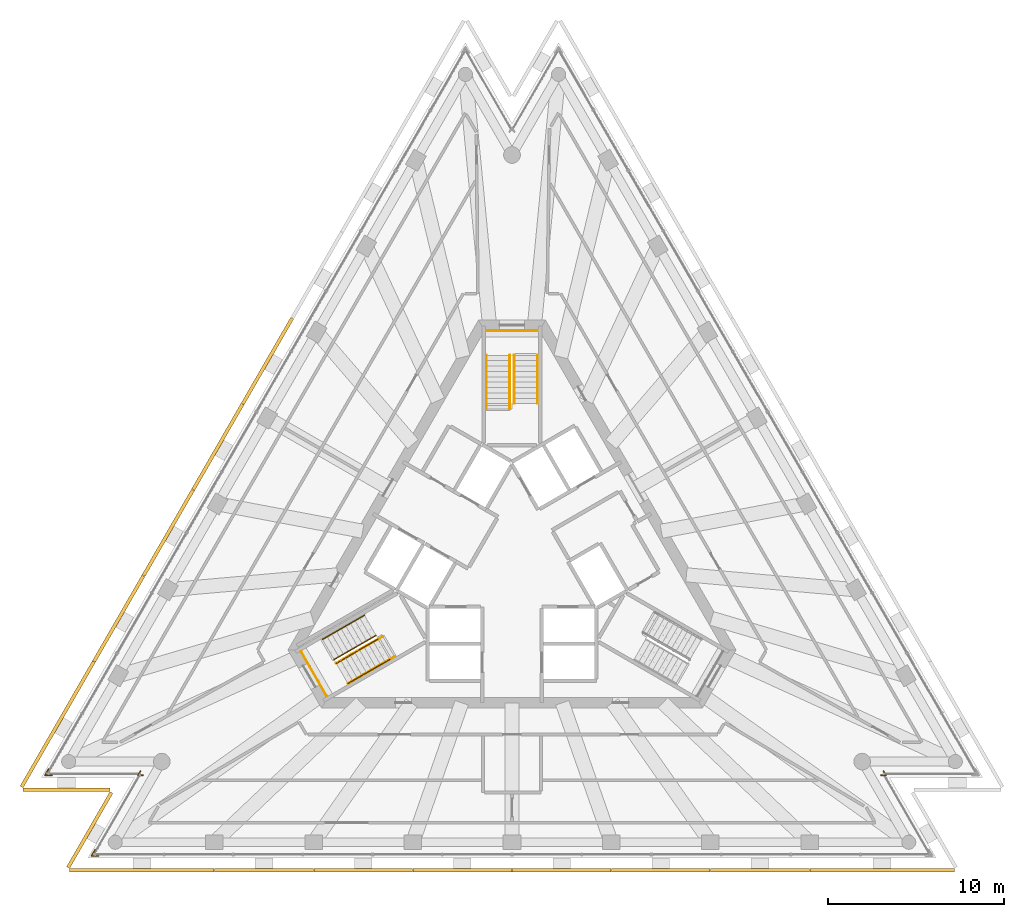
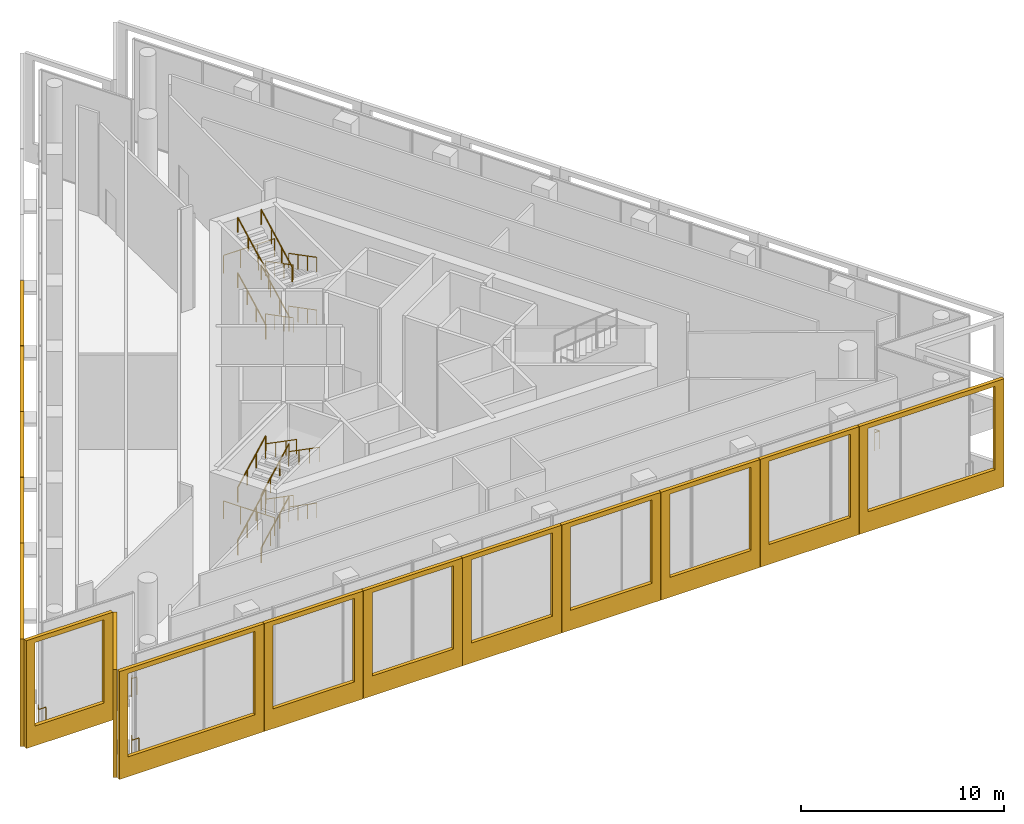
# One storey, part 15 of 16: 22 railings, 15 shading devices, 2 elements without a shape of their own.
"""IFC4 building model written with IfcOpenShell, lengths in metres."""

from ifc_helpers import new_model, si_unit, direction, frame, origin, origin_2d, place, context, subcontext, project, spatial, polyline, circle, outline, extrude, material, layer, layer_set, type_object, element, aggregate, save


model = new_model("IFC4")

# Units and contexts
model_context = context("Model", 3, precision=1e-05, world=origin(), true_north=direction((0.0, 1.0)))
body_context = subcontext(model_context, "Body", "Model", "MODEL_VIEW")
ifc_project = project(units=[si_unit("LENGTHUNIT", "METRE"), si_unit("AREAUNIT", "SQUARE_METRE"), si_unit("VOLUMEUNIT", "CUBIC_METRE"), si_unit("PLANEANGLEUNIT", "RADIAN"), si_unit("MASSUNIT", "GRAM", prefix="KILO")], contexts=[model_context])

# Site, building, storey
site_placement = place(None, origin())
site = spatial("IfcSite", under=ifc_project, at=site_placement, CompositionType="ELEMENT")
building_placement = place(site_placement, origin())
building = spatial("IfcBuilding", under=site, at=building_placement, Name="Triada Interchange Tower", CompositionType="ELEMENT")
storey_placement = place(building_placement, frame((0.0, 0.0, 261.800048828125)))
storey = spatial("IfcBuildingStorey", under=building, at=storey_placement, Name="L61", CompositionType="ELEMENT", Elevation=261.800048828125)

# Railings
ifc_material_1 = material(Name="Stainless steel 1.4301", Category="steel")
railing_type_1 = type_object("IfcRailingType", Name="Edge guard 1100", PredefinedType="GUARDRAIL", material=ifc_material_1)
railing_1_placement = place(storey_placement, frame((-26.345947265625, -11.919921875, 0.0)))
element("IfcRailing", 1, at=railing_1_placement, inside=storey, type_object=railing_type_1, Name="Edge guard L61 corner 02", PredefinedType="GUARDRAIL", context=body_context, shape_type="SweptSolid", body=[
    extrude(circle(Radius=0.02392578125, at=origin_2d()), frame((0.0, 0.0, 1.076171875), z_axis=(-0.499757119926, -0.866165585257, 0.0), x_axis=(0.866165585257, -0.499757119926, 0.0)), (0.0, 0.0, 1.0), 0.406494140625),
    extrude(circle(Radius=0.02392578125, at=origin_2d()), frame((-0.203125, -0.35205078125, 1.076171875), z_axis=(1.0, 0.0, 0.0), x_axis=(0.0, 1.0, 0.0)), (0.0, 0.0, 1.0), 0.406005859375),
    extrude(circle(Radius=0.02099609375, at=origin_2d()), origin(), (0.0, 0.0, 1.0), 1.052001953125),
    extrude(circle(Radius=0.02099609375, at=origin_2d()), frame((-0.203125, -0.35205078125, 0.0)), (0.0, 0.0, 1.0), 1.052001953125),
    extrude(circle(Radius=0.02099609375, at=origin_2d()), frame((0.202880859375, -0.35205078125, 0.0)), (0.0, 0.0, 1.0), 1.052001953125),
])
railing_2_placement = place(storey_placement, frame((-20.969970703125, -12.27197265625, 0.0)))
element("IfcRailing", 2, at=railing_2_placement, inside=storey, type_object=railing_type_1, Name="Edge guard L61 corner 03", PredefinedType="GUARDRAIL", context=body_context, shape_type="SweptSolid", body=[
    extrude(circle(Radius=0.02392578125, at=origin_2d()), frame((0.0, 0.0, 1.076171875), z_axis=(-1.0, 0.0, 0.0), x_axis=(0.0, -1.0, 0.0)), (0.0, 0.0, 1.0), 0.2861328125),
    extrude(circle(Radius=0.02392578125, at=origin_2d()), frame((-0.2861328125, 0.0, 1.076171875), z_axis=(0.49962403686, 0.866242357422, 0.0), x_axis=(-0.866242357422, 0.49962403686, 0.0)), (0.0, 0.0, 1.0), 0.286376953125),
    extrude(circle(Radius=0.02099609375, at=origin_2d()), origin(), (0.0, 0.0, 1.0), 1.052001953125),
    extrude(circle(Radius=0.02099609375, at=origin_2d()), frame((-0.2861328125, 0.0, 0.0)), (0.0, 0.0, 1.0), 1.052001953125),
    extrude(circle(Radius=0.02099609375, at=origin_2d()), frame((-0.14306640625, 0.248046875, 0.0)), (0.0, 0.0, 1.0), 1.052001953125),
])
railing_3_placement = place(storey_placement, frame((-23.699951171875, -16.50390625, 0.0)))
element("IfcRailing", 3, at=railing_3_placement, inside=storey, type_object=railing_type_1, Name="Edge guard L61 corner 04", PredefinedType="GUARDRAIL", context=body_context, shape_type="SweptSolid", body=[
    extrude(circle(Radius=0.02392578125, at=origin_2d()), frame((0.0, 0.0, 1.076171875), z_axis=(-0.499757119926, -0.866165585257, 0.0), x_axis=(0.866165585257, -0.499757119926, 0.0)), (0.0, 0.0, 1.0), 0.406494140625),
    extrude(circle(Radius=0.02392578125, at=origin_2d()), frame((-0.203125, -0.35205078125, 1.076171875), z_axis=(1.0, 0.0, 0.0), x_axis=(0.0, 1.0, 0.0)), (0.0, 0.0, 1.0), 0.406005859375),
    extrude(circle(Radius=0.02099609375, at=origin_2d()), origin(), (0.0, 0.0, 1.0), 1.052001953125),
    extrude(circle(Radius=0.02099609375, at=origin_2d()), frame((-0.203125, -0.35205078125, 0.0)), (0.0, 0.0, 1.0), 1.052001953125),
    extrude(circle(Radius=0.02099609375, at=origin_2d()), frame((0.202880859375, -0.35205078125, 0.0)), (0.0, 0.0, 1.0), 1.052001953125),
])
railing_4_placement = place(storey_placement, frame((21.113037109375, -12.02392578125, 0.0)))
element("IfcRailing", 4, at=railing_4_placement, inside=storey, type_object=railing_type_1, Name="Edge guard L61 corner 06", PredefinedType="GUARDRAIL", context=body_context, shape_type="SweptSolid", body=[
    extrude(circle(Radius=0.02392578125, at=origin_2d()), frame((0.0, 0.0, 1.076171875), z_axis=(0.49962403686, -0.866242357422, 0.0), x_axis=(0.866242357422, 0.49962403686, 0.0)), (0.0, 0.0, 1.0), 0.286376953125),
    extrude(circle(Radius=0.02392578125, at=origin_2d()), frame((0.14306640625, -0.248046875, 1.076171875), z_axis=(-1.0, 0.0, 0.0), x_axis=(0.0, -1.0, 0.0)), (0.0, 0.0, 1.0), 0.2861328125),
    extrude(circle(Radius=0.02099609375, at=origin_2d()), origin(), (0.0, 0.0, 1.0), 1.052001953125),
    extrude(circle(Radius=0.02099609375, at=origin_2d()), frame((0.14306640625, -0.248046875, 0.0)), (0.0, 0.0, 1.0), 1.052001953125),
    extrude(circle(Radius=0.02099609375, at=origin_2d()), frame((-0.14306640625, -0.248046875, 0.0)), (0.0, 0.0, 1.0), 1.052001953125),
])

# Shading devices
ifc_material_2 = material(Name="Concrete C50/60 precast", Category="concrete")
ifc_layer_1 = layer(ifc_material_2, 0.02001953125, Name="Exposed aggregate face")
ifc_layer_2 = layer(ifc_material_2, 0.179931640625, Name="Precast concrete screen")
ifc_layer_set = layer_set([ifc_layer_1, ifc_layer_2], Name="Outer skin screen panel 6480")
shading_device_type = type_object("IfcShadingDeviceType", Name="Outer skin screen panel 6480", PredefinedType="SHUTTER", material=ifc_layer_set)
for number, where, z_axis, x_axis, name in (
    (5, (-12.406982421875, 13.662109375, -0.2900390625), (0.0, 0.0, 1.0), (-0.500037195483, -0.866003927897, 0.0), "Outer skin screen panel L61 04"),
    (6, (-15.22607421875, 8.779052734375, -0.2900390625), (0.0, 0.0, 1.0), (-0.500004601921, -0.866022746848, 0.0), "Outer skin screen panel L61 05"),
    (7, (-18.044921875, 3.89697265625, -0.2900390625), (0.0, 0.0, 1.0), (-0.500037195483, -0.866003927897, 0.0), "Outer skin screen panel L61 06"),
    (8, (-20.864013671875, -0.986083984375, -0.2900390625), (0.0, 0.0, 1.0), (-0.500037195483, -0.866003927897, 0.0), "Outer skin screen panel L61 07"),
):
    element("IfcShadingDevice", number, at=place(storey_placement, frame(where, z_axis=z_axis, x_axis=x_axis)), inside=storey, type_object=shading_device_type, Name=name, PredefinedType="SHUTTER", context=body_context, shape_type="SweptSolid", body=[
        extrude(outline(polyline([(0.0, 0.0), (5.61767578125, 0.0), (5.61767578125, 6.47998046875), (0.0, 6.47998046875), (0.0, 0.0)]), holes=[polyline([(0.5, 1.18994140625), (0.5, 6.199951171875), (5.117919921875, 6.199951171875), (5.117919921875, 1.18994140625), (0.5, 1.18994140625)])]), frame((0.0, 0.0, 0.0), z_axis=(0.0, -1.0, 0.0), x_axis=(1.0, 0.0, 0.0)), (0.0, 0.0, 1.0), 0.199951171875),
    ])
shading_device_1_placement = place(storey_placement, frame((-23.68310546875, -5.867919921875, -0.2900390625), z_axis=(0.0, 0.0, 1.0), x_axis=(-0.500006265035, -0.866021786635, 0.0)))
element("IfcShadingDevice", 9, at=shading_device_1_placement, inside=storey, type_object=shading_device_type, Name="Outer skin screen panel L61 08", PredefinedType="SHUTTER", context=body_context, shape_type="SweptSolid", body=[
    extrude(outline(polyline([(0.0, 0.0), (8.2158203125, 0.0), (8.2158203125, 6.47998046875), (0.0, 6.47998046875), (0.0, 0.0)]), holes=[polyline([(0.5, 1.18994140625), (0.5, 6.199951171875), (7.7158203125, 6.199951171875), (7.7158203125, 1.18994140625), (0.5, 1.18994140625)])]), frame((0.0, 0.0, 0.0), z_axis=(0.0, -1.0, 0.0), x_axis=(1.0, 0.0, 0.0)), (0.0, 0.0, 1.0), 0.199951171875),
])
shading_device_2_placement = place(storey_placement, frame((-27.785888671875, -12.991943359375, -0.2900390625), z_axis=(0.0, 0.0, 1.0), x_axis=(1.0, 0.0, 0.0)))
element("IfcShadingDevice", 10, at=shading_device_2_placement, inside=storey, type_object=shading_device_type, Name="Outer skin screen panel L61 09", PredefinedType="SHUTTER", context=body_context, shape_type="SweptSolid", body=[
    extrude(outline(polyline([(0.0, 0.0), (4.92578125, 0.0), (4.92578125, 6.47998046875), (0.0, 6.47998046875), (0.0, 0.0)]), holes=[polyline([(0.5, 1.18994140625), (0.5, 6.199951171875), (4.426025390625, 6.199951171875), (4.426025390625, 1.18994140625), (0.5, 1.18994140625)])]), frame((0.0, 0.0, 0.0), z_axis=(0.0, -1.0, 0.0), x_axis=(1.0, 0.0, 0.0)), (0.0, 0.0, 1.0), 0.199951171875),
])
shading_device_3_placement = place(storey_placement, frame((-22.681884765625, -13.301025390625, -0.2900390625), z_axis=(0.0, 0.0, 1.0), x_axis=(-0.50003563795, -0.866004827227, 0.0)))
element("IfcShadingDevice", 11, at=shading_device_3_placement, inside=storey, type_object=shading_device_type, Name="Outer skin screen panel L61 10", PredefinedType="SHUTTER", context=body_context, shape_type="SweptSolid", body=[
    extrude(outline(polyline([(0.0, 0.0), (4.926025390625, 0.0), (4.926025390625, 6.47998046875), (0.0, 6.47998046875), (0.0, 0.0)]), holes=[polyline([(0.5, 1.18994140625), (0.5, 6.199951171875), (4.426513671875, 6.199951171875), (4.426513671875, 1.18994140625), (0.5, 1.18994140625)])]), frame((0.0, 0.0, 0.0), z_axis=(0.0, -1.0, 0.0), x_axis=(1.0, 0.0, 0.0)), (0.0, 0.0, 1.0), 0.199951171875),
])
shading_device_4_placement = place(storey_placement, frame((-25.139892578125, -17.575927734375, -0.2900390625), z_axis=(0.0, 0.0, 1.0), x_axis=(1.0, 0.0, 0.0)))
element("IfcShadingDevice", 12, at=shading_device_4_placement, inside=storey, type_object=shading_device_type, Name="Outer skin screen panel L61 11", PredefinedType="SHUTTER", context=body_context, shape_type="SweptSolid", body=[
    extrude(outline(polyline([(0.0, 0.0), (8.2158203125, 0.0), (8.2158203125, 6.47998046875), (0.0, 6.47998046875), (0.0, 0.0)]), holes=[polyline([(0.5, 1.18994140625), (0.5, 6.199951171875), (7.716064453125, 6.199951171875), (7.716064453125, 1.18994140625), (0.5, 1.18994140625)])]), frame((0.0, 0.0, 0.0), z_axis=(0.0, -1.0, 0.0), x_axis=(1.0, 0.0, 0.0)), (0.0, 0.0, 1.0), 0.199951171875),
])
for number, where, z_axis, x_axis, name in (
    (13, (-16.904052734375, -17.575927734375, -0.2900390625), (0.0, 0.0, 1.0), (1.0, 0.0, 0.0), "Outer skin screen panel L61 12"),
    (14, (-11.26611328125, -17.575927734375, -0.2900390625), (0.0, 0.0, 1.0), (1.0, 0.0, 0.0), "Outer skin screen panel L61 13"),
):
    element("IfcShadingDevice", number, at=place(storey_placement, frame(where, z_axis=z_axis, x_axis=x_axis)), inside=storey, type_object=shading_device_type, Name=name, PredefinedType="SHUTTER", context=body_context, shape_type="SweptSolid", body=[
        extrude(outline(polyline([(0.0, 0.0), (5.6181640625, 0.0), (5.6181640625, 6.47998046875), (0.0, 6.47998046875), (0.0, 0.0)]), holes=[polyline([(0.5, 1.18994140625), (0.5, 6.199951171875), (5.117919921875, 6.199951171875), (5.117919921875, 1.18994140625), (0.5, 1.18994140625)])]), frame((0.0, 0.0, 0.0), z_axis=(0.0, -1.0, 0.0), x_axis=(1.0, 0.0, 0.0)), (0.0, 0.0, 1.0), 0.199951171875),
    ])
for number, where, z_axis, x_axis, name in (
    (15, (-5.6279296875, -17.575927734375, -0.2900390625), (0.0, 0.0, 1.0), (1.0, 0.0, 0.0), "Outer skin screen panel L61 14"),
    (16, (0.010009765625, -17.575927734375, -0.2900390625), (0.0, 0.0, 1.0), (1.0, 0.0, 0.0), "Outer skin screen panel L61 15"),
):
    element("IfcShadingDevice", number, at=place(storey_placement, frame(where, z_axis=z_axis, x_axis=x_axis)), inside=storey, type_object=shading_device_type, Name=name, PredefinedType="SHUTTER", context=body_context, shape_type="SweptSolid", body=[
        extrude(outline(polyline([(0.0, 0.0), (5.617919921875, 0.0), (5.617919921875, 6.47998046875), (0.0, 6.47998046875), (0.0, 0.0)]), holes=[polyline([(0.5, 1.18994140625), (0.5, 6.199951171875), (5.117919921875, 6.199951171875), (5.117919921875, 1.18994140625), (0.5, 1.18994140625)])]), frame((0.0, 0.0, 0.0), z_axis=(0.0, -1.0, 0.0), x_axis=(1.0, 0.0, 0.0)), (0.0, 0.0, 1.0), 0.199951171875),
    ])
for number, where, z_axis, x_axis, name in (
    (17, (5.64794921875, -17.575927734375, -0.2900390625), (0.0, 0.0, 1.0), (1.0, 0.0, 0.0), "Outer skin screen panel L61 16"),
    (18, (11.285888671875, -17.575927734375, -0.2900390625), (0.0, 0.0, 1.0), (1.0, 0.0, 0.0), "Outer skin screen panel L61 17"),
):
    element("IfcShadingDevice", number, at=place(storey_placement, frame(where, z_axis=z_axis, x_axis=x_axis)), inside=storey, type_object=shading_device_type, Name=name, PredefinedType="SHUTTER", context=body_context, shape_type="SweptSolid", body=[
        extrude(outline(polyline([(0.0, 0.0), (5.6181640625, 0.0), (5.6181640625, 6.47998046875), (0.0, 6.47998046875), (0.0, 0.0)]), holes=[polyline([(0.5, 1.18994140625), (0.5, 6.199951171875), (5.117919921875, 6.199951171875), (5.117919921875, 1.18994140625), (0.5, 1.18994140625)])]), frame((0.0, 0.0, 0.0), z_axis=(0.0, -1.0, 0.0), x_axis=(1.0, 0.0, 0.0)), (0.0, 0.0, 1.0), 0.199951171875),
    ])
shading_device_5_placement = place(storey_placement, frame((16.924072265625, -17.575927734375, -0.2900390625), z_axis=(0.0, 0.0, 1.0), x_axis=(1.0, 0.0, 0.0)))
element("IfcShadingDevice", 19, at=shading_device_5_placement, inside=storey, type_object=shading_device_type, Name="Outer skin screen panel L61 18", PredefinedType="SHUTTER", context=body_context, shape_type="SweptSolid", body=[
    extrude(outline(polyline([(0.0, 0.0), (8.2158203125, 0.0), (8.2158203125, 6.47998046875), (0.0, 6.47998046875), (0.0, 0.0)]), holes=[polyline([(0.5, 1.18994140625), (0.5, 6.199951171875), (7.716064453125, 6.199951171875), (7.716064453125, 1.18994140625), (0.5, 1.18994140625)])]), frame((0.0, 0.0, 0.0), z_axis=(0.0, -1.0, 0.0), x_axis=(1.0, 0.0, 0.0)), (0.0, 0.0, 1.0), 0.199951171875),
])

# Stair, railing
ifc_material_3 = material(Name="Concrete C35/45", Category="concrete")
stair_type = type_object("IfcStairType", Name="HALF TURN STAIR 1400", PredefinedType="HALF_TURN_STAIR", material=ifc_material_3)
stair_1_placement = place(storey_placement, origin())
stair_1 = element("IfcStair", 20, at=stair_1_placement, inside=storey, type_object=stair_type, Name="Exit stair S61-1", PredefinedType="HALF_TURN_STAIR")
railing_type_2 = type_object("IfcRailingType", Name="STAIR GUARD 1100", PredefinedType="GUARDRAIL", material=ifc_material_1)
railing_5_placement = place(storey_placement, frame((1.449951171875, 13.0, 3.170654296875)))
railing_5 = element("IfcRailing", 21, at=railing_5_placement, type_object=railing_type_2, Name="Guard S61-1 1", PredefinedType="GUARDRAIL", context=body_context, shape_type="SweptSolid", body=[
    extrude(circle(Radius=0.02392578125, at=origin_2d()), frame((0.0, 0.0, 1.076171875), z_axis=(-1.0, 0.0, 0.0), x_axis=(0.0, -1.0, 0.0)), (0.0, 0.0, 1.0), 2.89990234375),
    extrude(circle(Radius=0.02099609375, at=origin_2d()), origin(), (0.0, 0.0, 1.0), 1.052001953125),
    extrude(circle(Radius=0.02099609375, at=origin_2d()), frame((-0.966552734375, 0.0, 0.0)), (0.0, 0.0, 1.0), 1.052001953125),
    extrude(circle(Radius=0.02099609375, at=origin_2d()), frame((-1.933349609375, 0.0, 0.0)), (0.0, 0.0, 1.0), 1.052001953125),
    extrude(circle(Radius=0.02099609375, at=origin_2d()), frame((-2.89990234375, 0.0, 0.0)), (0.0, 0.0, 1.0), 1.052001953125),
])

stair_2_placement = place(storey_placement, origin())
stair_2 = element("IfcStair", 22, at=stair_2_placement, inside=storey, type_object=stair_type, Name="Exit stair S61-2", PredefinedType="HALF_TURN_STAIR")
railing_6_placement = place(storey_placement, frame((-11.98291015625, -5.243896484375, 3.170654296875)))
railing_6 = element("IfcRailing", 23, at=railing_6_placement, type_object=railing_type_2, Name="Guard S61-2 1", PredefinedType="GUARDRAIL", context=body_context, shape_type="SweptSolid", body=[
    extrude(circle(Radius=0.02392578125, at=origin_2d()), frame((0.0, 0.0, 1.076171875), z_axis=(0.499877891294, -0.866095891802, 0.0), x_axis=(0.866095891802, 0.499877891294, 0.0)), (0.0, 0.0, 1.0), 2.900634765625),
    extrude(circle(Radius=0.02099609375, at=origin_2d()), origin(), (0.0, 0.0, 1.0), 1.052001953125),
    extrude(circle(Radius=0.02099609375, at=origin_2d()), frame((0.4833984375, -0.83740234375, 0.0)), (0.0, 0.0, 1.0), 1.052001953125),
    extrude(circle(Radius=0.02099609375, at=origin_2d()), frame((0.966552734375, -1.6748046875, 0.0)), (0.0, 0.0, 1.0), 1.052001953125),
    extrude(circle(Radius=0.02099609375, at=origin_2d()), frame((1.449951171875, -2.51220703125, 0.0)), (0.0, 0.0, 1.0), 1.052001953125),
])

# Railing
railing_type_3 = type_object("IfcRailingType", Name="STAIR HANDRAIL 900", PredefinedType="HANDRAIL", material=ifc_material_1)
railing_7_placement = place(storey_placement, frame((1.449951171875, 11.60009765625, 0.158447265625)))
railing_7 = element("IfcRailing", 24, at=railing_7_placement, type_object=railing_type_3, Name="Handrail S61-1 1W", PredefinedType="HANDRAIL", context=body_context, shape_type="SweptSolid", body=[
    extrude(circle(Radius=0.02392578125, at=origin_2d()), frame((0.0, 0.0, 0.8759765625), z_axis=(0.0, -0.887277517406, 0.461235955998), x_axis=(1.0, 0.0, 0.0)), (0.0, 0.0, 1.0), 3.09375),
    extrude(circle(Radius=0.02099609375, at=origin_2d()), origin(), (0.0, 0.0, 1.0), 0.851806640625),
    extrude(circle(Radius=0.02099609375, at=origin_2d()), frame((0.0, -0.9150390625, 0.4755859375)), (0.0, 0.0, 1.0), 0.851806640625),
    extrude(circle(Radius=0.02099609375, at=origin_2d()), frame((0.0, -1.830078125, 0.951416015625)), (0.0, 0.0, 1.0), 0.851806640625),
    extrude(circle(Radius=0.02099609375, at=origin_2d()), frame((0.0, -2.7451171875, 1.427001953125)), (0.0, 0.0, 1.0), 0.851806640625),
])

railing_8_placement = place(storey_placement, frame((0.1201171875, 11.60009765625, 0.158447265625)))
railing_8 = element("IfcRailing", 25, at=railing_8_placement, type_object=railing_type_3, Name="Handrail S61-1 1C", PredefinedType="HANDRAIL", context=body_context, shape_type="SweptSolid", body=[
    extrude(circle(Radius=0.02392578125, at=origin_2d()), frame((0.0, 0.0, 0.8759765625), z_axis=(0.0, -0.887277517406, 0.461235955998), x_axis=(1.0, 0.0, 0.0)), (0.0, 0.0, 1.0), 3.09375),
    extrude(circle(Radius=0.02099609375, at=origin_2d()), origin(), (0.0, 0.0, 1.0), 0.851806640625),
    extrude(circle(Radius=0.02099609375, at=origin_2d()), frame((0.0, -0.9150390625, 0.4755859375)), (0.0, 0.0, 1.0), 0.851806640625),
    extrude(circle(Radius=0.02099609375, at=origin_2d()), frame((0.0, -1.830078125, 0.951416015625)), (0.0, 0.0, 1.0), 0.851806640625),
    extrude(circle(Radius=0.02099609375, at=origin_2d()), frame((0.0, -2.7451171875, 1.427001953125)), (0.0, 0.0, 1.0), 0.851806640625),
])

railing_9_placement = place(storey_placement, frame((-1.449951171875, 8.85498046875, 1.743896484375)))
railing_9 = element("IfcRailing", 26, at=railing_9_placement, type_object=railing_type_3, Name="Handrail S61-1 2W", PredefinedType="HANDRAIL", context=body_context, shape_type="SweptSolid", body=[
    extrude(circle(Radius=0.02392578125, at=origin_2d()), frame((0.0, 0.0, 0.8759765625), z_axis=(0.0, 0.887309810364, 0.461173828866), x_axis=(-1.0, 0.0, 0.0)), (0.0, 0.0, 1.0), 3.09375),
    extrude(circle(Radius=0.02099609375, at=origin_2d()), origin(), (0.0, 0.0, 1.0), 0.851806640625),
    extrude(circle(Radius=0.02099609375, at=origin_2d()), frame((0.0, 0.9150390625, 0.4755859375)), (0.0, 0.0, 1.0), 0.851806640625),
    extrude(circle(Radius=0.02099609375, at=origin_2d()), frame((0.0, 1.830078125, 0.951171875)), (0.0, 0.0, 1.0), 0.851806640625),
    extrude(circle(Radius=0.02099609375, at=origin_2d()), frame((0.0, 2.7451171875, 1.4267578125)), (0.0, 0.0, 1.0), 0.851806640625),
])

railing_10_placement = place(storey_placement, frame((-0.1201171875, 8.85498046875, 1.743896484375)))
railing_10 = element("IfcRailing", 27, at=railing_10_placement, type_object=railing_type_3, Name="Handrail S61-1 2C", PredefinedType="HANDRAIL", context=body_context, shape_type="SweptSolid", body=[
    extrude(circle(Radius=0.02392578125, at=origin_2d()), frame((0.0, 0.0, 0.8759765625), z_axis=(0.0, 0.887309810364, 0.461173828866), x_axis=(-1.0, 0.0, 0.0)), (0.0, 0.0, 1.0), 3.09375),
    extrude(circle(Radius=0.02099609375, at=origin_2d()), origin(), (0.0, 0.0, 1.0), 0.851806640625),
    extrude(circle(Radius=0.02099609375, at=origin_2d()), frame((0.0, 0.9150390625, 0.4755859375)), (0.0, 0.0, 1.0), 0.851806640625),
    extrude(circle(Radius=0.02099609375, at=origin_2d()), frame((0.0, 1.830078125, 0.951171875)), (0.0, 0.0, 1.0), 0.851806640625),
    extrude(circle(Radius=0.02099609375, at=origin_2d()), frame((0.0, 2.7451171875, 1.4267578125)), (0.0, 0.0, 1.0), 0.851806640625),
])

railing_11_placement = place(storey_placement, frame((1.449951171875, 11.60009765625, 3.329345703125)))
railing_11 = element("IfcRailing", 28, at=railing_11_placement, type_object=railing_type_3, Name="Handrail S61-1 3W", PredefinedType="HANDRAIL", context=body_context, shape_type="SweptSolid", body=[
    extrude(circle(Radius=0.02392578125, at=origin_2d()), frame((0.0, 0.0, 0.8759765625), z_axis=(0.0, -0.887309810364, 0.461173828866), x_axis=(1.0, 0.0, 0.0)), (0.0, 0.0, 1.0), 3.09375),
    extrude(circle(Radius=0.02099609375, at=origin_2d()), origin(), (0.0, 0.0, 1.0), 0.851806640625),
    extrude(circle(Radius=0.02099609375, at=origin_2d()), frame((0.0, -0.9150390625, 0.4755859375)), (0.0, 0.0, 1.0), 0.851806640625),
    extrude(circle(Radius=0.02099609375, at=origin_2d()), frame((0.0, -1.830078125, 0.951171875)), (0.0, 0.0, 1.0), 0.851806640625),
    extrude(circle(Radius=0.02099609375, at=origin_2d()), frame((0.0, -2.7451171875, 1.4267578125)), (0.0, 0.0, 1.0), 0.851806640625),
])

railing_12_placement = place(storey_placement, frame((0.1201171875, 11.60009765625, 3.329345703125)))
railing_12 = element("IfcRailing", 29, at=railing_12_placement, type_object=railing_type_3, Name="Handrail S61-1 3C", PredefinedType="HANDRAIL", context=body_context, shape_type="SweptSolid", body=[
    extrude(circle(Radius=0.02392578125, at=origin_2d()), frame((0.0, 0.0, 0.8759765625), z_axis=(0.0, -0.887309810364, 0.461173828866), x_axis=(1.0, 0.0, 0.0)), (0.0, 0.0, 1.0), 3.09375),
    extrude(circle(Radius=0.02099609375, at=origin_2d()), origin(), (0.0, 0.0, 1.0), 0.851806640625),
    extrude(circle(Radius=0.02099609375, at=origin_2d()), frame((0.0, -0.9150390625, 0.4755859375)), (0.0, 0.0, 1.0), 0.851806640625),
    extrude(circle(Radius=0.02099609375, at=origin_2d()), frame((0.0, -1.830078125, 0.951171875)), (0.0, 0.0, 1.0), 0.851806640625),
    extrude(circle(Radius=0.02099609375, at=origin_2d()), frame((0.0, -2.7451171875, 1.4267578125)), (0.0, 0.0, 1.0), 0.851806640625),
])

railing_13_placement = place(storey_placement, frame((-1.449951171875, 8.550048828125, 4.91455078125)))
railing_13 = element("IfcRailing", 30, at=railing_13_placement, type_object=railing_type_3, Name="Handrail S61-1 4W", PredefinedType="HANDRAIL", context=body_context, shape_type="SweptSolid", body=[
    extrude(circle(Radius=0.02392578125, at=origin_2d()), frame((0.0, 0.0, 0.8759765625), z_axis=(0.0, 0.887285398903, 0.461220794083), x_axis=(-1.0, 0.0, 0.0)), (0.0, 0.0, 1.0), 3.4375),
    extrude(circle(Radius=0.02099609375, at=origin_2d()), origin(), (0.0, 0.0, 1.0), 0.851806640625),
    extrude(circle(Radius=0.02099609375, at=origin_2d()), frame((0.0, 1.0166015625, 0.528564453125)), (0.0, 0.0, 1.0), 0.851806640625),
    extrude(circle(Radius=0.02099609375, at=origin_2d()), frame((0.0, 2.033447265625, 1.056884765625)), (0.0, 0.0, 1.0), 0.851806640625),
    extrude(circle(Radius=0.02099609375, at=origin_2d()), frame((0.0, 3.050048828125, 1.58544921875)), (0.0, 0.0, 1.0), 0.851806640625),
])

railing_14_placement = place(storey_placement, frame((-0.1201171875, 8.550048828125, 4.91455078125)))
railing_14 = element("IfcRailing", 31, at=railing_14_placement, type_object=railing_type_3, Name="Handrail S61-1 4C", PredefinedType="HANDRAIL", context=body_context, shape_type="SweptSolid", body=[
    extrude(circle(Radius=0.02392578125, at=origin_2d()), frame((0.0, 0.0, 0.8759765625), z_axis=(0.0, 0.887285398903, 0.461220794083), x_axis=(-1.0, 0.0, 0.0)), (0.0, 0.0, 1.0), 3.4375),
    extrude(circle(Radius=0.02099609375, at=origin_2d()), origin(), (0.0, 0.0, 1.0), 0.851806640625),
    extrude(circle(Radius=0.02099609375, at=origin_2d()), frame((0.0, 1.0166015625, 0.528564453125)), (0.0, 0.0, 1.0), 0.851806640625),
    extrude(circle(Radius=0.02099609375, at=origin_2d()), frame((0.0, 2.033447265625, 1.056884765625)), (0.0, 0.0, 1.0), 0.851806640625),
    extrude(circle(Radius=0.02099609375, at=origin_2d()), frame((0.0, 3.050048828125, 1.58544921875)), (0.0, 0.0, 1.0), 0.851806640625),
])

aggregate(stair_1, [railing_7, railing_8, railing_9, railing_10, railing_11, railing_12, railing_13, railing_14, railing_5])

railing_15_placement = place(storey_placement, frame((-10.77099609375, -4.5439453125, 0.158447265625)))
railing_15 = element("IfcRailing", 32, at=railing_15_placement, type_object=railing_type_3, Name="Handrail S61-2 1W", PredefinedType="HANDRAIL", context=body_context, shape_type="SweptSolid", body=[
    extrude(circle(Radius=0.02392578125, at=origin_2d()), frame((0.0, 0.0, 0.8759765625), z_axis=(0.768434190682, 0.443491343205, 0.46132886653), x_axis=(-0.49986106923, 0.866105600645, 0.0)), (0.0, 0.0, 1.0), 3.09326171875),
    extrude(circle(Radius=0.02099609375, at=origin_2d()), origin(), (0.0, 0.0, 1.0), 0.851806640625),
    extrude(circle(Radius=0.02099609375, at=origin_2d()), frame((0.792236328125, 0.457275390625, 0.4755859375)), (0.0, 0.0, 1.0), 0.851806640625),
    extrude(circle(Radius=0.02099609375, at=origin_2d()), frame((1.584716796875, 0.91455078125, 0.951416015625)), (0.0, 0.0, 1.0), 0.851806640625),
    extrude(circle(Radius=0.02099609375, at=origin_2d()), frame((2.376953125, 1.371826171875, 1.427001953125)), (0.0, 0.0, 1.0), 0.851806640625),
])

railing_16_placement = place(storey_placement, frame((-10.10595703125, -5.696044921875, 0.158447265625)))
railing_16 = element("IfcRailing", 33, at=railing_16_placement, type_object=railing_type_3, Name="Handrail S61-2 1C", PredefinedType="HANDRAIL", context=body_context, shape_type="SweptSolid", body=[
    extrude(circle(Radius=0.02392578125, at=origin_2d()), frame((0.0, 0.0, 0.8759765625), z_axis=(0.768299676807, 0.443808276742, 0.46124811123), x_axis=(-0.500194616298, 0.865913012852, 0.0)), (0.0, 0.0, 1.0), 3.09375),
    extrude(circle(Radius=0.02099609375, at=origin_2d()), origin(), (0.0, 0.0, 1.0), 0.851806640625),
    extrude(circle(Radius=0.02099609375, at=origin_2d()), frame((0.792236328125, 0.457763671875, 0.4755859375)), (0.0, 0.0, 1.0), 0.851806640625),
    extrude(circle(Radius=0.02099609375, at=origin_2d()), frame((1.584716796875, 0.915283203125, 0.951416015625)), (0.0, 0.0, 1.0), 0.851806640625),
    extrude(circle(Radius=0.02099609375, at=origin_2d()), frame((2.376953125, 1.373046875, 1.427001953125)), (0.0, 0.0, 1.0), 0.851806640625),
])

railing_17_placement = place(storey_placement, frame((-6.944091796875, -5.68310546875, 1.743896484375)))
railing_17 = element("IfcRailing", 34, at=railing_17_placement, type_object=railing_type_3, Name="Handrail S61-2 2W", PredefinedType="HANDRAIL", context=body_context, shape_type="SweptSolid", body=[
    extrude(circle(Radius=0.02392578125, at=origin_2d()), frame((0.0, 0.0, 0.8759765625), z_axis=(-0.76846216954, -0.443507490822, 0.461266733648), x_axis=(0.49986106923, -0.866105600645, 0.0)), (0.0, 0.0, 1.0), 3.093017578125),
    extrude(circle(Radius=0.02099609375, at=origin_2d()), origin(), (0.0, 0.0, 1.0), 0.851806640625),
    extrude(circle(Radius=0.02099609375, at=origin_2d()), frame((-0.792236328125, -0.457275390625, 0.4755859375)), (0.0, 0.0, 1.0), 0.851806640625),
    extrude(circle(Radius=0.02099609375, at=origin_2d()), frame((-1.584716796875, -0.91455078125, 0.951171875)), (0.0, 0.0, 1.0), 0.851806640625),
    extrude(circle(Radius=0.02099609375, at=origin_2d()), frame((-2.376953125, -1.371826171875, 1.4267578125)), (0.0, 0.0, 1.0), 0.851806640625),
])

railing_18_placement = place(storey_placement, frame((-7.60888671875, -4.531005859375, 1.743896484375)))
railing_18 = element("IfcRailing", 35, at=railing_18_placement, type_object=railing_type_3, Name="Handrail S61-2 2C", PredefinedType="HANDRAIL", context=body_context, shape_type="SweptSolid", body=[
    extrude(circle(Radius=0.02392578125, at=origin_2d()), frame((0.0, 0.0, 0.8759765625), z_axis=(-0.768359967822, -0.443797520697, 0.461158021151), x_axis=(0.500156096934, -0.865935262419, 0.0)), (0.0, 0.0, 1.0), 3.09375),
    extrude(circle(Radius=0.02099609375, at=origin_2d()), origin(), (0.0, 0.0, 1.0), 0.851806640625),
    extrude(circle(Radius=0.02099609375, at=origin_2d()), frame((-0.79248046875, -0.457763671875, 0.4755859375)), (0.0, 0.0, 1.0), 0.851806640625),
    extrude(circle(Radius=0.02099609375, at=origin_2d()), frame((-1.584716796875, -0.915283203125, 0.951171875)), (0.0, 0.0, 1.0), 0.851806640625),
    extrude(circle(Radius=0.02099609375, at=origin_2d()), frame((-2.377197265625, -1.373046875, 1.4267578125)), (0.0, 0.0, 1.0), 0.851806640625),
])

railing_19_placement = place(storey_placement, frame((-10.77099609375, -4.5439453125, 3.329345703125)))
railing_19 = element("IfcRailing", 36, at=railing_19_placement, type_object=railing_type_3, Name="Handrail S61-2 3W", PredefinedType="HANDRAIL", context=body_context, shape_type="SweptSolid", body=[
    extrude(circle(Radius=0.02392578125, at=origin_2d()), frame((0.0, 0.0, 0.8759765625), z_axis=(0.76846216954, 0.443507490822, 0.461266733648), x_axis=(-0.49986106923, 0.866105600645, 0.0)), (0.0, 0.0, 1.0), 3.093017578125),
    extrude(circle(Radius=0.02099609375, at=origin_2d()), origin(), (0.0, 0.0, 1.0), 0.851806640625),
    extrude(circle(Radius=0.02099609375, at=origin_2d()), frame((0.792236328125, 0.457275390625, 0.4755859375)), (0.0, 0.0, 1.0), 0.851806640625),
    extrude(circle(Radius=0.02099609375, at=origin_2d()), frame((1.584716796875, 0.91455078125, 0.951171875)), (0.0, 0.0, 1.0), 0.851806640625),
    extrude(circle(Radius=0.02099609375, at=origin_2d()), frame((2.376953125, 1.371826171875, 1.4267578125)), (0.0, 0.0, 1.0), 0.851806640625),
])

railing_20_placement = place(storey_placement, frame((-10.10595703125, -5.696044921875, 3.329345703125)))
railing_20 = element("IfcRailing", 37, at=railing_20_placement, type_object=railing_type_3, Name="Handrail S61-2 3C", PredefinedType="HANDRAIL", context=body_context, shape_type="SweptSolid", body=[
    extrude(circle(Radius=0.02392578125, at=origin_2d()), frame((0.0, 0.0, 0.8759765625), z_axis=(0.768327640974, 0.443824430242, 0.461185983346), x_axis=(-0.500194616298, 0.865913012852, 0.0)), (0.0, 0.0, 1.0), 3.09375),
    extrude(circle(Radius=0.02099609375, at=origin_2d()), origin(), (0.0, 0.0, 1.0), 0.851806640625),
    extrude(circle(Radius=0.02099609375, at=origin_2d()), frame((0.792236328125, 0.457763671875, 0.4755859375)), (0.0, 0.0, 1.0), 0.851806640625),
    extrude(circle(Radius=0.02099609375, at=origin_2d()), frame((1.584716796875, 0.915283203125, 0.951171875)), (0.0, 0.0, 1.0), 0.851806640625),
    extrude(circle(Radius=0.02099609375, at=origin_2d()), frame((2.376953125, 1.373046875, 1.4267578125)), (0.0, 0.0, 1.0), 0.851806640625),
])

railing_21_placement = place(storey_placement, frame((-6.679931640625, -5.531005859375, 4.91455078125)))
railing_21 = element("IfcRailing", 38, at=railing_21_placement, type_object=railing_type_3, Name="Handrail S61-2 4W", PredefinedType="HANDRAIL", context=body_context, shape_type="SweptSolid", body=[
    extrude(circle(Radius=0.02392578125, at=origin_2d()), frame((0.0, 0.0, 0.8759765625), z_axis=(-0.768387284065, -0.443644571665, 0.461259661926), x_axis=(0.500013496215, -0.866017611601, 0.0)), (0.0, 0.0, 1.0), 3.437255859375),
    extrude(circle(Radius=0.02099609375, at=origin_2d()), origin(), (0.0, 0.0, 1.0), 0.851806640625),
    extrude(circle(Radius=0.02099609375, at=origin_2d()), frame((-0.88037109375, -0.50830078125, 0.528564453125)), (0.0, 0.0, 1.0), 0.851806640625),
    extrude(circle(Radius=0.02099609375, at=origin_2d()), frame((-1.7607421875, -1.0166015625, 1.056884765625)), (0.0, 0.0, 1.0), 0.851806640625),
    extrude(circle(Radius=0.02099609375, at=origin_2d()), frame((-2.64111328125, -1.52490234375, 1.58544921875)), (0.0, 0.0, 1.0), 0.851806640625),
])

railing_22_placement = place(storey_placement, frame((-7.344970703125, -4.37890625, 4.91455078125)))
railing_22 = element("IfcRailing", 39, at=railing_22_placement, type_object=railing_type_3, Name="Handrail S61-2 4C", PredefinedType="HANDRAIL", context=body_context, shape_type="SweptSolid", body=[
    extrude(circle(Radius=0.02392578125, at=origin_2d()), frame((0.0, 0.0, 0.8759765625), z_axis=(-0.768363070275, -0.443701617675, 0.46124512649), x_axis=(0.500073531575, -0.865982946147, 0.0)), (0.0, 0.0, 1.0), 3.437255859375),
    extrude(circle(Radius=0.02099609375, at=origin_2d()), origin(), (0.0, 0.0, 1.0), 0.851806640625),
    extrude(circle(Radius=0.02099609375, at=origin_2d()), frame((-0.88037109375, -0.50830078125, 0.528564453125)), (0.0, 0.0, 1.0), 0.851806640625),
    extrude(circle(Radius=0.02099609375, at=origin_2d()), frame((-1.7607421875, -1.016845703125, 1.056884765625)), (0.0, 0.0, 1.0), 0.851806640625),
    extrude(circle(Radius=0.02099609375, at=origin_2d()), frame((-2.64111328125, -1.525146484375, 1.58544921875)), (0.0, 0.0, 1.0), 0.851806640625),
])

aggregate(stair_2, [railing_15, railing_16, railing_17, railing_18, railing_19, railing_20, railing_21, railing_22, railing_6])

save(model, "model.ifc")
